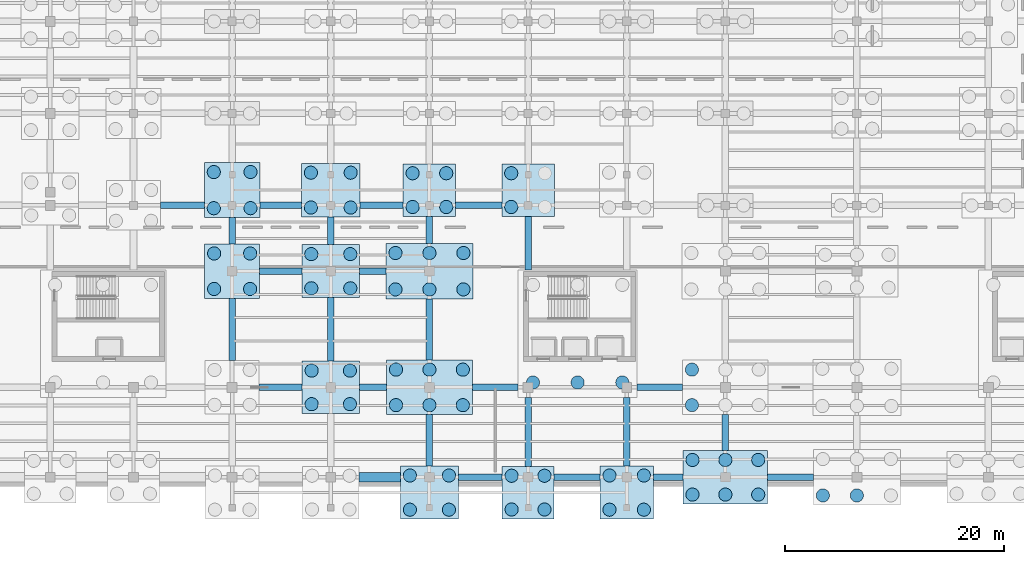
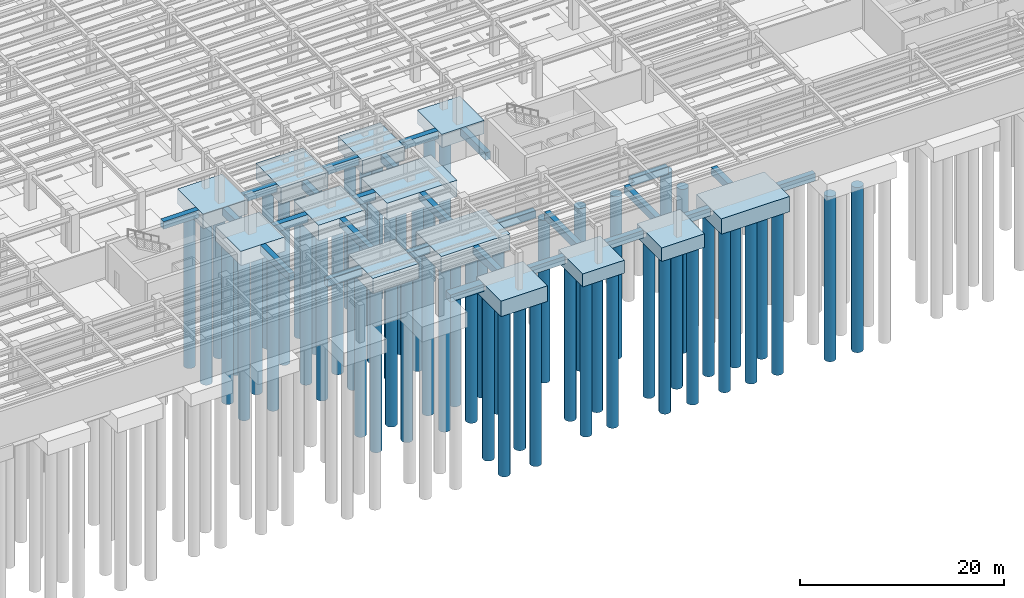
# One storey, part 5 of 49: 63 piles, 39 footings.
"""IFC4 building model written with IfcOpenShell, lengths in metres."""

from ifc_helpers import new_model, si_unit, direction, frame, origin, origin_2d, place, context, subcontext, project, spatial, rectangle, circle, extrude, material, material_profile, profile_set, type_object, element, save


model = new_model("IFC4")

# Units and contexts
model_context = context("Model", 3, precision=1e-05, world=origin(), true_north=direction((0.0, 1.0)))
body_context = subcontext(model_context, "Body", "Model", "MODEL_VIEW")
ifc_project = project(units=[si_unit("LENGTHUNIT", "METRE"), si_unit("AREAUNIT", "SQUARE_METRE"), si_unit("VOLUMEUNIT", "CUBIC_METRE"), si_unit("PLANEANGLEUNIT", "RADIAN"), si_unit("MASSUNIT", "GRAM", prefix="KILO")], contexts=[model_context])

# Site, building, storey
site_placement = place(None, origin())
site = spatial("IfcSite", under=ifc_project, at=site_placement, CompositionType="ELEMENT")
building_placement = place(site_placement, origin())
building = spatial("IfcBuilding", under=site, at=building_placement, Name="Sollismere Congress Hotel", CompositionType="ELEMENT")
storey_placement = place(building_placement, frame((0.0, 0.0, -4.5)))
storey = spatial("IfcBuildingStorey", under=building, at=storey_placement, Name="B1", CompositionType="ELEMENT", Elevation=-4.5)

# Footings
ifc_material = material(Name="Concrete C40/50", Category="concrete")
footing_type_1 = type_object("IfcFootingType", Name="FT-GB600", PredefinedType="FOOTING_BEAM", material=ifc_material)
footing_1_placement = place(storey_placement, frame((89.639892578125, 0.0, -0.89990234375), z_axis=(0.0, 0.0, 1.0), x_axis=(1.0, 0.0, 0.0)))
element("IfcFooting", 1, at=footing_1_placement, inside=storey, type_object=footing_type_1, Name="FTG-GB-001", PredefinedType="FOOTING_BEAM", context=body_context, shape_type="SweptSolid", body=[
    extrude(rectangle(XDim=4.0, YDim=0.60009765625, at=origin_2d()), origin(), (0.0, 0.0, 1.0), 0.89990234375),
])
footing_2_placement = place(storey_placement, frame((98.465087890625, 0.0, -0.89990234375), z_axis=(0.0, 0.0, 1.0), x_axis=(1.0, 0.0, 0.0)))
element("IfcFooting", 2, at=footing_2_placement, inside=storey, type_object=footing_type_1, Name="FTG-GB-002", PredefinedType="FOOTING_BEAM", context=body_context, shape_type="SweptSolid", body=[
    extrude(rectangle(XDim=4.2099609375, YDim=0.60009765625, at=origin_2d()), origin(), (0.0, 0.0, 1.0), 0.89990234375),
])
footing_3_placement = place(storey_placement, frame((106.784912109375, 0.0, -0.89990234375), z_axis=(0.0, 0.0, 1.0), x_axis=(1.0, 0.0, 0.0)))
element("IfcFooting", 3, at=footing_3_placement, inside=storey, type_object=footing_type_1, Name="FTG-GB-003", PredefinedType="FOOTING_BEAM", context=body_context, shape_type="SweptSolid", body=[
    extrude(rectangle(XDim=2.7099609375, YDim=0.60009765625, at=origin_2d()), origin(), (0.0, 0.0, 1.0), 0.89990234375),
])
footing_4_placement = place(storey_placement, frame((117.949951171875, 0.0, -0.89990234375), z_axis=(0.0, 0.0, 1.0), x_axis=(1.0, 0.0, 0.0)))
element("IfcFooting", 4, at=footing_4_placement, inside=storey, type_object=footing_type_1, Name="FTG-GB-004", PredefinedType="FOOTING_BEAM", context=body_context, shape_type="SweptSolid", body=[
    extrude(rectangle(XDim=4.179931640625, YDim=0.60009765625, at=origin_2d()), origin(), (0.0, 0.0, 1.0), 0.89990234375),
])
footing_5_placement = place(storey_placement, frame((71.429931640625, 8.199951171875, -0.89990234375), z_axis=(0.0, 0.0, 1.0), x_axis=(1.0, 0.0, 0.0)))
element("IfcFooting", 5, at=footing_5_placement, inside=storey, type_object=footing_type_1, Name="FTG-GB-015", PredefinedType="FOOTING_BEAM", context=body_context, shape_type="SweptSolid", body=[
    extrude(rectangle(XDim=3.929931640625, YDim=0.60009765625, at=origin_2d()), origin(), (0.0, 0.0, 1.0), 0.89990234375),
])
footing_6_placement = place(storey_placement, frame((79.847412109375, 8.199951171875, -0.89990234375), z_axis=(0.0, 0.0, 1.0), x_axis=(1.0, 0.0, 0.0)))
element("IfcFooting", 6, at=footing_6_placement, inside=storey, type_object=footing_type_1, Name="FTG-GB-016", PredefinedType="FOOTING_BEAM", context=body_context, shape_type="SweptSolid", body=[
    extrude(rectangle(XDim=2.485107421875, YDim=0.60009765625, at=origin_2d()), origin(), (0.0, 0.0, 1.0), 0.89990234375),
])
footing_7_placement = place(storey_placement, frame((91.0048828125, 8.199951171875, -0.89990234375), z_axis=(0.0, 0.0, 1.0), x_axis=(1.0, 0.0, 0.0)))
element("IfcFooting", 7, at=footing_7_placement, inside=storey, type_object=footing_type_1, Name="FTG-GB-017", PredefinedType="FOOTING_BEAM", context=body_context, shape_type="SweptSolid", body=[
    extrude(rectangle(XDim=4.18994140625, YDim=0.60009765625, at=origin_2d()), origin(), (0.0, 0.0, 1.0), 0.89990234375),
])
footing_8_placement = place(storey_placement, frame((106.02001953125, 8.199951171875, -0.89990234375), z_axis=(0.0, 0.0, 1.0), x_axis=(1.0, 0.0, 0.0)))
element("IfcFooting", 8, at=footing_8_placement, inside=storey, type_object=footing_type_1, Name="FTG-GB-018", PredefinedType="FOOTING_BEAM", context=body_context, shape_type="SweptSolid", body=[
    extrude(rectangle(XDim=4.139892578125, YDim=0.60009765625, at=origin_2d()), origin(), (0.0, 0.0, 1.0), 0.89990234375),
])
footing_9_placement = place(storey_placement, frame((71.429931640625, 18.800048828125, -0.89990234375), z_axis=(0.0, 0.0, 1.0), x_axis=(1.0, 0.0, 0.0)))
element("IfcFooting", 9, at=footing_9_placement, inside=storey, type_object=footing_type_1, Name="FTG-GB-028", PredefinedType="FOOTING_BEAM", context=body_context, shape_type="SweptSolid", body=[
    extrude(rectangle(XDim=3.860107421875, YDim=0.60009765625, at=origin_2d()), origin(), (0.0, 0.0, 1.0), 0.89990234375),
])
footing_10_placement = place(storey_placement, frame((79.840087890625, 18.800048828125, -0.89990234375), z_axis=(0.0, 0.0, 1.0), x_axis=(1.0, 0.0, 0.0)))
element("IfcFooting", 10, at=footing_10_placement, inside=storey, type_object=footing_type_1, Name="FTG-GB-029", PredefinedType="FOOTING_BEAM", context=body_context, shape_type="SweptSolid", body=[
    extrude(rectangle(XDim=2.39990234375, YDim=0.60009765625, at=origin_2d()), origin(), (0.0, 0.0, 1.0), 0.89990234375),
])
footing_11_placement = place(storey_placement, frame((62.467529296875, 24.800048828125, -0.89990234375), z_axis=(0.0, 0.0, 1.0), x_axis=(1.0, 0.0, 0.0)))
element("IfcFooting", 11, at=footing_11_placement, inside=storey, type_object=footing_type_1, Name="FTG-GB-039", PredefinedType="FOOTING_BEAM", context=body_context, shape_type="SweptSolid", body=[
    extrude(rectangle(XDim=3.9951171875, YDim=0.60009765625, at=origin_2d()), origin(), (0.0, 0.0, 1.0), 0.89990234375),
])
footing_12_placement = place(storey_placement, frame((71.429931640625, 24.800048828125, -0.89990234375), z_axis=(0.0, 0.0, 1.0), x_axis=(1.0, 0.0, 0.0)))
element("IfcFooting", 12, at=footing_12_placement, inside=storey, type_object=footing_type_1, Name="FTG-GB-040", PredefinedType="FOOTING_BEAM", context=body_context, shape_type="SweptSolid", body=[
    extrude(rectangle(XDim=3.7900390625, YDim=0.60009765625, at=origin_2d()), origin(), (0.0, 0.0, 1.0), 0.89990234375),
])
footing_13_placement = place(storey_placement, frame((80.639892578125, 24.800048828125, -0.89990234375), z_axis=(0.0, 0.0, 1.0), x_axis=(1.0, 0.0, 0.0)))
element("IfcFooting", 13, at=footing_13_placement, inside=storey, type_object=footing_type_1, Name="FTG-GB-041", PredefinedType="FOOTING_BEAM", context=body_context, shape_type="SweptSolid", body=[
    extrude(rectangle(XDim=3.929931640625, YDim=0.60009765625, at=origin_2d()), origin(), (0.0, 0.0, 1.0), 0.89990234375),
])
footing_14_placement = place(storey_placement, frame((89.5, 24.800048828125, -0.89990234375), z_axis=(0.0, 0.0, 1.0), x_axis=(1.0, 0.0, 0.0)))
element("IfcFooting", 14, at=footing_14_placement, inside=storey, type_object=footing_type_1, Name="FTG-GB-042", PredefinedType="FOOTING_BEAM", context=body_context, shape_type="SweptSolid", body=[
    extrude(rectangle(XDim=4.2099609375, YDim=0.60009765625, at=origin_2d()), origin(), (0.0, 0.0, 1.0), 0.89990234375),
])
footing_15_placement = place(storey_placement, frame((67.0, 13.485107421875, -0.89990234375), z_axis=(0.0, 0.0, 1.0), x_axis=(0.0, 1.0, 0.0)))
element("IfcFooting", 15, at=footing_15_placement, inside=storey, type_object=footing_type_1, Name="FTG-GB-314", PredefinedType="FOOTING_BEAM", context=body_context, shape_type="SweptSolid", body=[
    extrude(rectangle(XDim=5.669921875, YDim=0.60009765625, at=origin_2d()), origin(), (0.0, 0.0, 1.0), 0.89990234375),
])
footing_16_placement = place(storey_placement, frame((67.0, 22.485107421875, -0.89990234375), z_axis=(0.0, 0.0, 1.0), x_axis=(0.0, 1.0, 0.0)))
element("IfcFooting", 16, at=footing_16_placement, inside=storey, type_object=footing_type_1, Name="FTG-GB-315", PredefinedType="FOOTING_BEAM", context=body_context, shape_type="SweptSolid", body=[
    extrude(rectangle(XDim=2.409912109375, YDim=0.60009765625, at=origin_2d()), origin(), (0.0, 0.0, 1.0), 0.89990234375),
])
footing_17_placement = place(storey_placement, frame((76.0, 13.485107421875, -0.89990234375), z_axis=(0.0, 0.0, 1.0), x_axis=(0.0, 1.0, 0.0)))
element("IfcFooting", 17, at=footing_17_placement, inside=storey, type_object=footing_type_1, Name="FTG-GB-327", PredefinedType="FOOTING_BEAM", context=body_context, shape_type="SweptSolid", body=[
    extrude(rectangle(XDim=5.7900390625, YDim=0.60009765625, at=origin_2d()), origin(), (0.0, 0.0, 1.0), 0.89990234375),
])
footing_18_placement = place(storey_placement, frame((76.0, 22.485107421875, -0.89990234375), z_axis=(0.0, 0.0, 1.0), x_axis=(0.0, 1.0, 0.0)))
element("IfcFooting", 18, at=footing_18_placement, inside=storey, type_object=footing_type_1, Name="FTG-GB-328", PredefinedType="FOOTING_BEAM", context=body_context, shape_type="SweptSolid", body=[
    extrude(rectangle(XDim=2.530029296875, YDim=0.60009765625, at=origin_2d()), origin(), (0.0, 0.0, 1.0), 0.89990234375),
])
footing_19_placement = place(storey_placement, frame((85.0, 3.3701171875, -0.89990234375), z_axis=(0.0, 0.0, 1.0), x_axis=(0.0, 1.0, 0.0)))
element("IfcFooting", 19, at=footing_19_placement, inside=storey, type_object=footing_type_1, Name="FTG-GB-336", PredefinedType="FOOTING_BEAM", context=body_context, shape_type="SweptSolid", body=[
    extrude(rectangle(XDim=4.699951171875, YDim=0.60009765625, at=origin_2d()), origin(), (0.0, 0.0, 1.0), 0.89990234375),
])
footing_20_placement = place(storey_placement, frame((85.0, 13.47998046875, -0.89990234375), z_axis=(0.0, 0.0, 1.0), x_axis=(0.0, 1.0, 0.0)))
element("IfcFooting", 20, at=footing_20_placement, inside=storey, type_object=footing_type_1, Name="FTG-GB-337", PredefinedType="FOOTING_BEAM", context=body_context, shape_type="SweptSolid", body=[
    extrude(rectangle(XDim=5.60009765625, YDim=0.60009765625, at=origin_2d()), origin(), (0.0, 0.0, 1.0), 0.89990234375),
])
footing_21_placement = place(storey_placement, frame((85.0, 22.56005859375, -0.89990234375), z_axis=(0.0, 0.0, 1.0), x_axis=(0.0, 1.0, 0.0)))
element("IfcFooting", 21, at=footing_21_placement, inside=storey, type_object=footing_type_1, Name="FTG-GB-338", PredefinedType="FOOTING_BEAM", context=body_context, shape_type="SweptSolid", body=[
    extrude(rectangle(XDim=2.47998046875, YDim=0.60009765625, at=origin_2d()), origin(), (0.0, 0.0, 1.0), 0.89990234375),
])
footing_22_placement = place(storey_placement, frame((94.0, 4.14990234375, -0.89990234375), z_axis=(0.0, 0.0, 1.0), x_axis=(0.0, 1.0, 0.0)))
element("IfcFooting", 22, at=footing_22_placement, inside=storey, type_object=footing_type_1, Name="FTG-GB-346", PredefinedType="FOOTING_BEAM", context=body_context, shape_type="SweptSolid", body=[
    extrude(rectangle(XDim=6.300048828125, YDim=0.60009765625, at=origin_2d()), origin(), (0.0, 0.0, 1.0), 0.89990234375),
])
footing_23_placement = place(storey_placement, frame((94.0, 21.35009765625, -0.89990234375), z_axis=(0.0, 0.0, 1.0), x_axis=(0.0, 1.0, 0.0)))
element("IfcFooting", 23, at=footing_23_placement, inside=storey, type_object=footing_type_1, Name="FTG-GB-347", PredefinedType="FOOTING_BEAM", context=body_context, shape_type="SweptSolid", body=[
    extrude(rectangle(XDim=4.89990234375, YDim=0.60009765625, at=origin_2d()), origin(), (0.0, 0.0, 1.0), 0.89990234375),
])
footing_24_placement = place(storey_placement, frame((103.0, 4.159912109375, -0.89990234375), z_axis=(0.0, 0.0, 1.0), x_axis=(0.0, 1.0, 0.0)))
element("IfcFooting", 24, at=footing_24_placement, inside=storey, type_object=footing_type_1, Name="FTG-GB-358", PredefinedType="FOOTING_BEAM", context=body_context, shape_type="SweptSolid", body=[
    extrude(rectangle(XDim=6.280029296875, YDim=0.60009765625, at=origin_2d()), origin(), (0.0, 0.0, 1.0), 0.89990234375),
])
footing_25_placement = place(storey_placement, frame((112.0, 4.080078125, -0.89990234375), z_axis=(0.0, 0.0, 1.0), x_axis=(0.0, 1.0, 0.0)))
element("IfcFooting", 25, at=footing_25_placement, inside=storey, type_object=footing_type_1, Name="FTG-GB-370", PredefinedType="FOOTING_BEAM", context=body_context, shape_type="SweptSolid", body=[
    extrude(rectangle(XDim=3.280029296875, YDim=0.60009765625, at=origin_2d()), origin(), (0.0, 0.0, 1.0), 0.89990234375),
])
footing_type_2 = type_object("IfcFootingType", Name="FT-PC4H-03", PredefinedType="PILE_CAP", material=ifc_material)
footing_26_placement = place(storey_placement, frame((103.0, -1.39990234375, -1.6298828125), z_axis=(0.0, 0.0, 1.0), x_axis=(1.0, 0.0, 0.0)))
element("IfcFooting", 26, at=footing_26_placement, inside=storey, type_object=footing_type_2, Name="Reinforced concrete pile cap PC-153", PredefinedType="PILE_CAP", context=body_context, shape_type="SweptSolid", body=[
    extrude(rectangle(XDim=4.860107421875, YDim=4.840087890625, at=origin_2d()), origin(), (0.0, 0.0, 1.0), 1.6298828125),
])
footing_type_3 = type_object("IfcFootingType", Name="FT-PC4H-05", PredefinedType="PILE_CAP", material=ifc_material)
footing_27_placement = place(storey_placement, frame((67.0, 18.800048828125, -1.7099609375), z_axis=(0.0, 0.0, 1.0), x_axis=(1.0, 0.0, 0.0)))
element("IfcFooting", 27, at=footing_27_placement, inside=storey, type_object=footing_type_3, Name="Reinforced concrete pile cap PC-105", PredefinedType="PILE_CAP", context=body_context, shape_type="SweptSolid", body=[
    extrude(rectangle(XDim=5.0, YDim=4.9599609375, at=origin_2d()), origin(), (0.0, 0.0, 1.0), 1.7099609375),
])
footing_type_4 = type_object("IfcFootingType", Name="FT-PC4H-06", PredefinedType="PILE_CAP", material=ifc_material)
footing_28_placement = place(storey_placement, frame((67.0, 26.199951171875, -1.75), z_axis=(0.0, 0.0, 1.0), x_axis=(1.0, 0.0, 0.0)))
element("IfcFooting", 28, at=footing_28_placement, inside=storey, type_object=footing_type_4, Name="Reinforced concrete pile cap PC-106", PredefinedType="PILE_CAP", context=body_context, shape_type="SweptSolid", body=[
    extrude(rectangle(XDim=5.070068359375, YDim=5.02001953125, at=origin_2d()), origin(), (0.0, 0.0, 1.0), 1.75),
])
footing_type_5 = type_object("IfcFootingType", Name="FT-PC4H-08", PredefinedType="PILE_CAP", material=ifc_material)
footing_29_placement = place(storey_placement, frame((76.0, 8.199951171875, -1.830078125), z_axis=(0.0, 0.0, 1.0), x_axis=(1.0, 0.0, 0.0)))
element("IfcFooting", 29, at=footing_29_placement, inside=storey, type_object=footing_type_5, Name="Reinforced concrete pile cap PC-118", PredefinedType="PILE_CAP", context=body_context, shape_type="SweptSolid", body=[
    extrude(rectangle(XDim=5.2099609375, YDim=4.780029296875, at=origin_2d()), origin(), (0.0, 0.0, 1.0), 1.830078125),
])
footing_type_6 = type_object("IfcFootingType", Name="FT-PC4H-09", PredefinedType="PILE_CAP", material=ifc_material)
for number, where, z_axis, x_axis, name in (
    (30, (76.0, 18.800048828125, -1.8701171875), (0.0, 0.0, 1.0), (1.0, 0.0, 0.0), "Reinforced concrete pile cap PC-119"),
    (31, (85.0, -1.39990234375, -1.8701171875), (0.0, 0.0, 1.0), (1.0, 0.0, 0.0), "Reinforced concrete pile cap PC-129"),
):
    element("IfcFooting", number, at=place(storey_placement, frame(where, z_axis=z_axis, x_axis=x_axis)), inside=storey, type_object=footing_type_6, Name=name, PredefinedType="PILE_CAP", context=body_context, shape_type="SweptSolid", body=[
        extrude(rectangle(XDim=5.280029296875, YDim=4.840087890625, at=origin_2d()), origin(), (0.0, 0.0, 1.0), 1.8701171875),
    ])
footing_type_7 = type_object("IfcFootingType", Name="FT-PC4H-10", PredefinedType="PILE_CAP", material=ifc_material)
footing_30_placement = place(storey_placement, frame((76.0, 26.199951171875, -1.91015625), z_axis=(0.0, 0.0, 1.0), x_axis=(1.0, 0.0, 0.0)))
element("IfcFooting", 32, at=footing_30_placement, inside=storey, type_object=footing_type_7, Name="Reinforced concrete pile cap PC-120", PredefinedType="PILE_CAP", context=body_context, shape_type="SweptSolid", body=[
    extrude(rectangle(XDim=5.35009765625, YDim=4.89990234375, at=origin_2d()), origin(), (0.0, 0.0, 1.0), 1.909912109375),
])
footing_type_8 = type_object("IfcFootingType", Name="FT-PC6-03", PredefinedType="PILE_CAP", material=ifc_material)
footing_31_placement = place(storey_placement, frame((112.0, 0.0, -1.85009765625), z_axis=(0.0, 0.0, 1.0), x_axis=(1.0, 0.0, 0.0)))
element("IfcFooting", 33, at=footing_31_placement, inside=storey, type_object=footing_type_8, Name="Reinforced concrete pile cap PC-165", PredefinedType="PILE_CAP", context=body_context, shape_type="SweptSolid", body=[
    extrude(rectangle(XDim=7.719970703125, YDim=4.8798828125, at=origin_2d()), origin(), (0.0, 0.0, 1.0), 1.85009765625),
])
footing_type_9 = type_object("IfcFootingType", Name="FT-PC6-04", PredefinedType="PILE_CAP", material=ifc_material)
footing_32_placement = place(storey_placement, frame((85.0, 8.199951171875, -1.89990234375), z_axis=(0.0, 0.0, 1.0), x_axis=(1.0, 0.0, 0.0)))
element("IfcFooting", 34, at=footing_32_placement, inside=storey, type_object=footing_type_9, Name="Reinforced concrete pile cap PC-130", PredefinedType="PILE_CAP", context=body_context, shape_type="SweptSolid", body=[
    extrude(rectangle(XDim=7.820068359375, YDim=4.9599609375, at=origin_2d()), origin(), (0.0, 0.0, 1.0), 1.89990234375),
])
footing_type_10 = type_object("IfcFootingType", Name="FT-PC6-05", PredefinedType="PILE_CAP", material=ifc_material)
footing_33_placement = place(storey_placement, frame((85.0, 18.800048828125, -1.9501953125), z_axis=(0.0, 0.0, 1.0), x_axis=(1.0, 0.0, 0.0)))
element("IfcFooting", 35, at=footing_33_placement, inside=storey, type_object=footing_type_10, Name="Reinforced concrete pile cap PC-131", PredefinedType="PILE_CAP", context=body_context, shape_type="SweptSolid", body=[
    extrude(rectangle(XDim=7.919921875, YDim=5.0400390625, at=origin_2d()), origin(), (0.0, 0.0, 1.0), 1.949951171875),
])
footing_type_11 = type_object("IfcFootingType", Name="FT-PCM-132", PredefinedType="PILE_CAP", material=ifc_material)
footing_34_placement = place(storey_placement, frame((85.0, 26.199951171875, -1.58984375), z_axis=(0.0, 0.0, 1.0), x_axis=(1.0, 0.0, 0.0)))
element("IfcFooting", 36, at=footing_34_placement, inside=storey, type_object=footing_type_11, Name="Reinforced concrete pile cap PC-132", PredefinedType="PILE_CAP", context=body_context, shape_type="SweptSolid", body=[
    extrude(rectangle(XDim=4.7900390625, YDim=4.800048828125, at=origin_2d()), origin(), (0.0, 0.0, 1.0), 1.590087890625),
])
footing_type_12 = type_object("IfcFootingType", Name="FT-PCM-141", PredefinedType="PILE_CAP", material=ifc_material)
footing_35_placement = place(storey_placement, frame((94.0, -1.39990234375, -1.5498046875), z_axis=(0.0, 0.0, 1.0), x_axis=(1.0, 0.0, 0.0)))
element("IfcFooting", 37, at=footing_35_placement, inside=storey, type_object=footing_type_12, Name="Reinforced concrete pile cap PC-141", PredefinedType="PILE_CAP", context=body_context, shape_type="SweptSolid", body=[
    extrude(rectangle(XDim=4.719970703125, YDim=4.800048828125, at=origin_2d()), origin(), (0.0, 0.0, 1.0), 1.550048828125),
])
footing_type_13 = type_object("IfcFootingType", Name="FT-PCM-142", PredefinedType="PILE_CAP", material=ifc_material)
footing_36_placement = place(storey_placement, frame((94.0, 26.199951171875, -1.58984375), z_axis=(0.0, 0.0, 1.0), x_axis=(1.0, 0.0, 0.0)))
element("IfcFooting", 38, at=footing_36_placement, inside=storey, type_object=footing_type_13, Name="Reinforced concrete pile cap PC-142", PredefinedType="PILE_CAP", context=body_context, shape_type="SweptSolid", body=[
    extrude(rectangle(XDim=4.7900390625, YDim=4.800048828125, at=origin_2d()), origin(), (0.0, 0.0, 1.0), 1.590087890625),
])
footing_type_14 = type_object("IfcFootingType", Name="FT-SF900", PredefinedType="STRIP_FOOTING", material=ifc_material)
footing_37_placement = place(storey_placement, frame((80.465087890625, 0.0, -0.85009765625), z_axis=(0.0, 0.0, 1.0), x_axis=(1.0, 0.0, 0.0)))
element("IfcFooting", 39, at=footing_37_placement, inside=storey, type_object=footing_type_14, Name="FTG-SF-010", PredefinedType="STRIP_FOOTING", context=body_context, shape_type="SweptSolid", body=[
    extrude(rectangle(XDim=3.7900390625, YDim=0.89990234375, at=origin_2d()), origin(), (0.0, 0.0, 1.0), 0.85009765625),
])

# Piles
ifc_material_profile = material_profile(ifc_material, circle(Radius=0.60009765625, at=origin_2d()), Name="CAISSON1200")
ifc_profile_set = profile_set([ifc_material_profile], Name="Concrete C40/50")
pile_type = type_object("IfcPileType", Name="PL-CS1200", PredefinedType="BORED", material=ifc_profile_set)
for number, where, z_axis, x_axis, name in (
    (40, (65.360107421875, 17.179931640625, -1.610107421875), (0.0, 0.0, -1.0), (1.0, 0.0, 0.0), "Bored rock-socketed caisson PL-323"),
    (41, (68.639892578125, 17.179931640625, -1.610107421875), (0.0, 0.0, -1.0), (1.0, 0.0, 0.0), "Bored rock-socketed caisson PL-324"),
    (42, (65.360107421875, 20.419921875, -1.610107421875), (0.0, 0.0, -1.0), (1.0, 0.0, 0.0), "Bored rock-socketed caisson PL-325"),
    (43, (68.639892578125, 20.419921875, -1.610107421875), (0.0, 0.0, -1.0), (1.0, 0.0, 0.0), "Bored rock-socketed caisson PL-326"),
):
    element("IfcPile", number, at=place(storey_placement, frame(where, z_axis=z_axis, x_axis=x_axis)), inside=storey, type_object=pile_type, Name=name, PredefinedType="BORED", context=body_context, shape_type="SweptSolid", body=[
        extrude(circle(Radius=0.60009765625, at=origin_2d()), origin(), (0.0, 0.0, 1.0), 19.10009765625),
    ])
for number, where, z_axis, x_axis, name in (
    (44, (65.324951171875, 24.550048828125, -1.64990234375), (0.0, 0.0, -1.0), (1.0, 0.0, 0.0), "Bored rock-socketed caisson PL-327"),
    (45, (68.675048828125, 24.550048828125, -1.64990234375), (0.0, 0.0, -1.0), (1.0, 0.0, 0.0), "Bored rock-socketed caisson PL-328"),
    (46, (65.324951171875, 27.85009765625, -1.64990234375), (0.0, 0.0, -1.0), (1.0, 0.0, 0.0), "Bored rock-socketed caisson PL-329"),
    (47, (68.675048828125, 27.85009765625, -1.64990234375), (0.0, 0.0, -1.0), (1.0, 0.0, 0.0), "Bored rock-socketed caisson PL-330"),
):
    element("IfcPile", number, at=place(storey_placement, frame(where, z_axis=z_axis, x_axis=x_axis)), inside=storey, type_object=pile_type, Name=name, PredefinedType="BORED", context=body_context, shape_type="SweptSolid", body=[
        extrude(circle(Radius=0.60009765625, at=origin_2d()), origin(), (0.0, 0.0, 1.0), 19.25),
    ])
for number, where, z_axis, x_axis, name in (
    (48, (74.2548828125, 6.669921875, -1.72998046875), (0.0, 0.0, -1.0), (1.0, 0.0, 0.0), "Bored rock-socketed caisson PL-365"),
    (49, (77.7451171875, 6.669921875, -1.72998046875), (0.0, 0.0, -1.0), (1.0, 0.0, 0.0), "Bored rock-socketed caisson PL-366"),
    (50, (74.2548828125, 9.72998046875, -1.72998046875), (0.0, 0.0, -1.0), (1.0, 0.0, 0.0), "Bored rock-socketed caisson PL-367"),
    (51, (77.7451171875, 9.72998046875, -1.72998046875), (0.0, 0.0, -1.0), (1.0, 0.0, 0.0), "Bored rock-socketed caisson PL-368"),
):
    element("IfcPile", number, at=place(storey_placement, frame(where, z_axis=z_axis, x_axis=x_axis)), inside=storey, type_object=pile_type, Name=name, PredefinedType="BORED", context=body_context, shape_type="SweptSolid", body=[
        extrude(circle(Radius=0.60009765625, at=origin_2d()), origin(), (0.0, 0.0, 1.0), 19.550048828125),
    ])
for number, where, z_axis, x_axis, name in (
    (52, (74.219970703125, 17.239990234375, -1.77001953125), (0.0, 0.0, -1.0), (1.0, 0.0, 0.0), "Bored rock-socketed caisson PL-369"),
    (53, (77.780029296875, 17.239990234375, -1.77001953125), (0.0, 0.0, -1.0), (1.0, 0.0, 0.0), "Bored rock-socketed caisson PL-370"),
    (54, (74.219970703125, 20.360107421875, -1.77001953125), (0.0, 0.0, -1.0), (1.0, 0.0, 0.0), "Bored rock-socketed caisson PL-371"),
    (55, (77.780029296875, 20.360107421875, -1.77001953125), (0.0, 0.0, -1.0), (1.0, 0.0, 0.0), "Bored rock-socketed caisson PL-372"),
):
    element("IfcPile", number, at=place(storey_placement, frame(where, z_axis=z_axis, x_axis=x_axis)), inside=storey, type_object=pile_type, Name=name, PredefinedType="BORED", context=body_context, shape_type="SweptSolid", body=[
        extrude(circle(Radius=0.60009765625, at=origin_2d()), origin(), (0.0, 0.0, 1.0), 19.699951171875),
    ])
for number, where, z_axis, x_axis, name in (
    (56, (74.18505859375, 24.610107421875, -1.81005859375), (0.0, 0.0, -1.0), (1.0, 0.0, 0.0), "Bored rock-socketed caisson PL-373"),
    (57, (77.81494140625, 24.610107421875, -1.81005859375), (0.0, 0.0, -1.0), (1.0, 0.0, 0.0), "Bored rock-socketed caisson PL-374"),
    (58, (74.18505859375, 27.7900390625, -1.81005859375), (0.0, 0.0, -1.0), (1.0, 0.0, 0.0), "Bored rock-socketed caisson PL-375"),
    (59, (77.81494140625, 27.7900390625, -1.81005859375), (0.0, 0.0, -1.0), (1.0, 0.0, 0.0), "Bored rock-socketed caisson PL-376"),
):
    element("IfcPile", number, at=place(storey_placement, frame(where, z_axis=z_axis, x_axis=x_axis)), inside=storey, type_object=pile_type, Name=name, PredefinedType="BORED", context=body_context, shape_type="SweptSolid", body=[
        extrude(circle(Radius=0.60009765625, at=origin_2d()), origin(), (0.0, 0.0, 1.0), 19.85009765625),
    ])
for number, where, z_axis, x_axis, name in (
    (60, (83.219970703125, -2.9599609375, -1.77001953125), (0.0, 0.0, -1.0), (1.0, 0.0, 0.0), "Bored rock-socketed caisson PL-399"),
    (61, (86.780029296875, -2.9599609375, -1.77001953125), (0.0, 0.0, -1.0), (1.0, 0.0, 0.0), "Bored rock-socketed caisson PL-400"),
    (62, (83.219970703125, 0.159912109375, -1.77001953125), (0.0, 0.0, -1.0), (1.0, 0.0, 0.0), "Bored rock-socketed caisson PL-401"),
    (63, (86.780029296875, 0.159912109375, -1.77001953125), (0.0, 0.0, -1.0), (1.0, 0.0, 0.0), "Bored rock-socketed caisson PL-402"),
):
    element("IfcPile", number, at=place(storey_placement, frame(where, z_axis=z_axis, x_axis=x_axis)), inside=storey, type_object=pile_type, Name=name, PredefinedType="BORED", context=body_context, shape_type="SweptSolid", body=[
        extrude(circle(Radius=0.60009765625, at=origin_2d()), origin(), (0.0, 0.0, 1.0), 19.699951171875),
    ])
for number, where, z_axis, x_axis, name in (
    (64, (81.949951171875, 6.580078125, -1.800048828125), (0.0, 0.0, -1.0), (1.0, 0.0, 0.0), "Bored rock-socketed caisson PL-403"),
    (65, (85.0, 6.580078125, -1.800048828125), (0.0, 0.0, -1.0), (1.0, 0.0, 0.0), "Bored rock-socketed caisson PL-404"),
    (66, (88.050048828125, 6.580078125, -1.800048828125), (0.0, 0.0, -1.0), (1.0, 0.0, 0.0), "Bored rock-socketed caisson PL-405"),
    (67, (81.949951171875, 9.820068359375, -1.800048828125), (0.0, 0.0, -1.0), (1.0, 0.0, 0.0), "Bored rock-socketed caisson PL-406"),
    (68, (85.0, 9.820068359375, -1.800048828125), (0.0, 0.0, -1.0), (1.0, 0.0, 0.0), "Bored rock-socketed caisson PL-407"),
    (69, (88.050048828125, 9.820068359375, -1.800048828125), (0.0, 0.0, -1.0), (1.0, 0.0, 0.0), "Bored rock-socketed caisson PL-408"),
):
    element("IfcPile", number, at=place(storey_placement, frame(where, z_axis=z_axis, x_axis=x_axis)), inside=storey, type_object=pile_type, Name=name, PredefinedType="BORED", context=body_context, shape_type="SweptSolid", body=[
        extrude(circle(Radius=0.60009765625, at=origin_2d()), origin(), (0.0, 0.0, 1.0), 19.64990234375),
    ])
for number, where, z_axis, x_axis, name in (
    (70, (81.89990234375, 17.139892578125, -1.85009765625), (0.0, 0.0, -1.0), (1.0, 0.0, 0.0), "Bored rock-socketed caisson PL-409"),
    (71, (85.0, 17.139892578125, -1.85009765625), (0.0, 0.0, -1.0), (1.0, 0.0, 0.0), "Bored rock-socketed caisson PL-410"),
    (72, (88.10009765625, 17.139892578125, -1.85009765625), (0.0, 0.0, -1.0), (1.0, 0.0, 0.0), "Bored rock-socketed caisson PL-411"),
    (73, (81.89990234375, 20.4599609375, -1.85009765625), (0.0, 0.0, -1.0), (1.0, 0.0, 0.0), "Bored rock-socketed caisson PL-412"),
    (74, (85.0, 20.4599609375, -1.85009765625), (0.0, 0.0, -1.0), (1.0, 0.0, 0.0), "Bored rock-socketed caisson PL-413"),
    (75, (88.10009765625, 20.4599609375, -1.85009765625), (0.0, 0.0, -1.0), (1.0, 0.0, 0.0), "Bored rock-socketed caisson PL-414"),
):
    element("IfcPile", number, at=place(storey_placement, frame(where, z_axis=z_axis, x_axis=x_axis)), inside=storey, type_object=pile_type, Name=name, PredefinedType="BORED", context=body_context, shape_type="SweptSolid", body=[
        extrude(circle(Radius=0.60009765625, at=origin_2d()), origin(), (0.0, 0.0, 1.0), 19.800048828125),
    ])
for number, where, z_axis, x_axis, name in (
    (76, (83.465087890625, 24.659912109375, -1.489990234375), (0.0, 0.0, -1.0), (1.0, 0.0, 0.0), "Bored rock-socketed caisson PL-415"),
    (77, (86.534912109375, 24.659912109375, -1.489990234375), (0.0, 0.0, -1.0), (1.0, 0.0, 0.0), "Bored rock-socketed caisson PL-416"),
    (78, (83.465087890625, 27.739990234375, -1.489990234375), (0.0, 0.0, -1.0), (1.0, 0.0, 0.0), "Bored rock-socketed caisson PL-417"),
    (79, (86.534912109375, 27.739990234375, -1.489990234375), (0.0, 0.0, -1.0), (1.0, 0.0, 0.0), "Bored rock-socketed caisson PL-418"),
):
    element("IfcPile", number, at=place(storey_placement, frame(where, z_axis=z_axis, x_axis=x_axis)), inside=storey, type_object=pile_type, Name=name, PredefinedType="BORED", context=body_context, shape_type="SweptSolid", body=[
        extrude(circle(Radius=0.60009765625, at=origin_2d()), origin(), (0.0, 0.0, 1.0), 18.64990234375),
    ])
for number, where, z_axis, x_axis, name in (
    (80, (92.5, -2.93994140625, -1.449951171875), (0.0, 0.0, -1.0), (1.0, 0.0, 0.0), "Bored rock-socketed caisson PL-441"),
    (81, (95.5, -2.93994140625, -1.449951171875), (0.0, 0.0, -1.0), (1.0, 0.0, 0.0), "Bored rock-socketed caisson PL-442"),
    (82, (92.5, 0.139892578125, -1.449951171875), (0.0, 0.0, -1.0), (1.0, 0.0, 0.0), "Bored rock-socketed caisson PL-443"),
    (83, (95.5, 0.139892578125, -1.449951171875), (0.0, 0.0, -1.0), (1.0, 0.0, 0.0), "Bored rock-socketed caisson PL-444"),
):
    element("IfcPile", number, at=place(storey_placement, frame(where, z_axis=z_axis, x_axis=x_axis)), inside=storey, type_object=pile_type, Name=name, PredefinedType="BORED", context=body_context, shape_type="SweptSolid", body=[
        extrude(circle(Radius=0.60009765625, at=origin_2d()), origin(), (0.0, 0.0, 1.0), 18.5),
    ])
for number, where, z_axis, x_axis, name in (
    (84, (92.465087890625, 24.659912109375, -1.489990234375), (0.0, 0.0, -1.0), (1.0, 0.0, 0.0), "Bored rock-socketed caisson PL-445"),
    (85, (92.465087890625, 27.739990234375, -1.489990234375), (0.0, 0.0, -1.0), (1.0, 0.0, 0.0), "Bored rock-socketed caisson PL-447"),
):
    element("IfcPile", number, at=place(storey_placement, frame(where, z_axis=z_axis, x_axis=x_axis)), inside=storey, type_object=pile_type, Name=name, PredefinedType="BORED", context=body_context, shape_type="SweptSolid", body=[
        extrude(circle(Radius=0.60009765625, at=origin_2d()), origin(), (0.0, 0.0, 1.0), 18.64990234375),
    ])
for number, where, z_axis, x_axis, name in (
    (86, (101.429931640625, -2.9599609375, -1.530029296875), (0.0, 0.0, -1.0), (1.0, 0.0, 0.0), "Bored rock-socketed caisson PL-479"),
    (87, (104.570068359375, -2.9599609375, -1.530029296875), (0.0, 0.0, -1.0), (1.0, 0.0, 0.0), "Bored rock-socketed caisson PL-480"),
    (88, (101.429931640625, 0.159912109375, -1.530029296875), (0.0, 0.0, -1.0), (1.0, 0.0, 0.0), "Bored rock-socketed caisson PL-481"),
    (89, (104.570068359375, 0.159912109375, -1.530029296875), (0.0, 0.0, -1.0), (1.0, 0.0, 0.0), "Bored rock-socketed caisson PL-482"),
):
    element("IfcPile", number, at=place(storey_placement, frame(where, z_axis=z_axis, x_axis=x_axis)), inside=storey, type_object=pile_type, Name=name, PredefinedType="BORED", context=body_context, shape_type="SweptSolid", body=[
        extrude(circle(Radius=0.60009765625, at=origin_2d()), origin(), (0.0, 0.0, 1.0), 18.800048828125),
    ])
for number, where, z_axis, x_axis, name in (
    (90, (109.0, -1.580078125, -1.75), (0.0, 0.0, -1.0), (1.0, 0.0, 0.0), "Bored rock-socketed caisson PL-517"),
    (91, (112.0, -1.580078125, -1.75), (0.0, 0.0, -1.0), (1.0, 0.0, 0.0), "Bored rock-socketed caisson PL-518"),
    (92, (115.0, -1.580078125, -1.75), (0.0, 0.0, -1.0), (1.0, 0.0, 0.0), "Bored rock-socketed caisson PL-519"),
    (93, (109.0, 1.580078125, -1.75), (0.0, 0.0, -1.0), (1.0, 0.0, 0.0), "Bored rock-socketed caisson PL-520"),
    (94, (112.0, 1.580078125, -1.75), (0.0, 0.0, -1.0), (1.0, 0.0, 0.0), "Bored rock-socketed caisson PL-521"),
    (95, (115.0, 1.580078125, -1.75), (0.0, 0.0, -1.0), (1.0, 0.0, 0.0), "Bored rock-socketed caisson PL-522"),
):
    element("IfcPile", number, at=place(storey_placement, frame(where, z_axis=z_axis, x_axis=x_axis)), inside=storey, type_object=pile_type, Name=name, PredefinedType="BORED", context=body_context, shape_type="SweptSolid", body=[
        extrude(circle(Radius=0.60009765625, at=origin_2d()), origin(), (0.0, 0.0, 1.0), 19.5),
    ])
for number, where, z_axis, x_axis, name in (
    (96, (108.949951171875, 6.580078125, -1.800048828125), (0.0, 0.0, -1.0), (1.0, 0.0, 0.0), "Bored rock-socketed caisson PL-523"),
    (97, (108.949951171875, 9.820068359375, -1.800048828125), (0.0, 0.0, -1.0), (1.0, 0.0, 0.0), "Bored rock-socketed caisson PL-526"),
):
    element("IfcPile", number, at=place(storey_placement, frame(where, z_axis=z_axis, x_axis=x_axis)), inside=storey, type_object=pile_type, Name=name, PredefinedType="BORED", context=body_context, shape_type="SweptSolid", body=[
        extrude(circle(Radius=0.60009765625, at=origin_2d()), origin(), (0.0, 0.0, 1.0), 19.64990234375),
    ])
for number, where, z_axis, x_axis, name in (
    (98, (120.89990234375, -1.659912109375, -1.85009765625), (0.0, 0.0, -1.0), (1.0, 0.0, 0.0), "Bored rock-socketed caisson PL-565"),
    (99, (124.0, -1.659912109375, -1.85009765625), (0.0, 0.0, -1.0), (1.0, 0.0, 0.0), "Bored rock-socketed caisson PL-566"),
):
    element("IfcPile", number, at=place(storey_placement, frame(where, z_axis=z_axis, x_axis=x_axis)), inside=storey, type_object=pile_type, Name=name, PredefinedType="BORED", context=body_context, shape_type="SweptSolid", body=[
        extrude(circle(Radius=0.60009765625, at=origin_2d()), origin(), (0.0, 0.0, 1.0), 19.800048828125),
    ])
for number, where, z_axis, x_axis, name in (
    (100, (94.449951171875, 8.64990234375, -1.699951171875), (0.0, 0.0, -1.0), (1.0, 0.0, 0.0), "Bored rock-socketed caisson PL-819"),
    (101, (98.52490234375, 8.64990234375, -1.699951171875), (0.0, 0.0, -1.0), (1.0, 0.0, 0.0), "Bored rock-socketed caisson PL-821"),
    (102, (102.60009765625, 8.64990234375, -1.699951171875), (0.0, 0.0, -1.0), (1.0, 0.0, 0.0), "Bored rock-socketed caisson PL-823"),
):
    element("IfcPile", number, at=place(storey_placement, frame(where, z_axis=z_axis, x_axis=x_axis)), inside=storey, type_object=pile_type, Name=name, PredefinedType="BORED", context=body_context, shape_type="SweptSolid", body=[
        extrude(circle(Radius=0.60009765625, at=origin_2d()), origin(), (0.0, 0.0, 1.0), 19.5),
    ])

save(model, "model.ifc")
